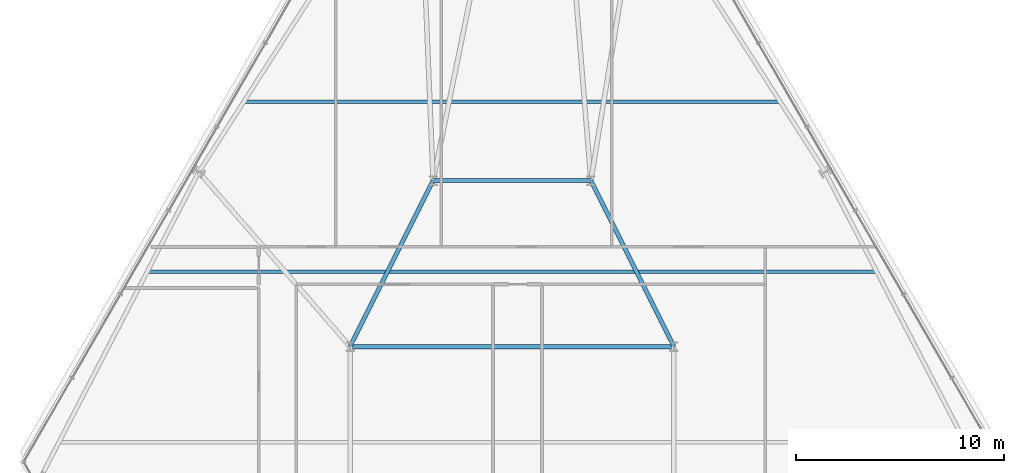
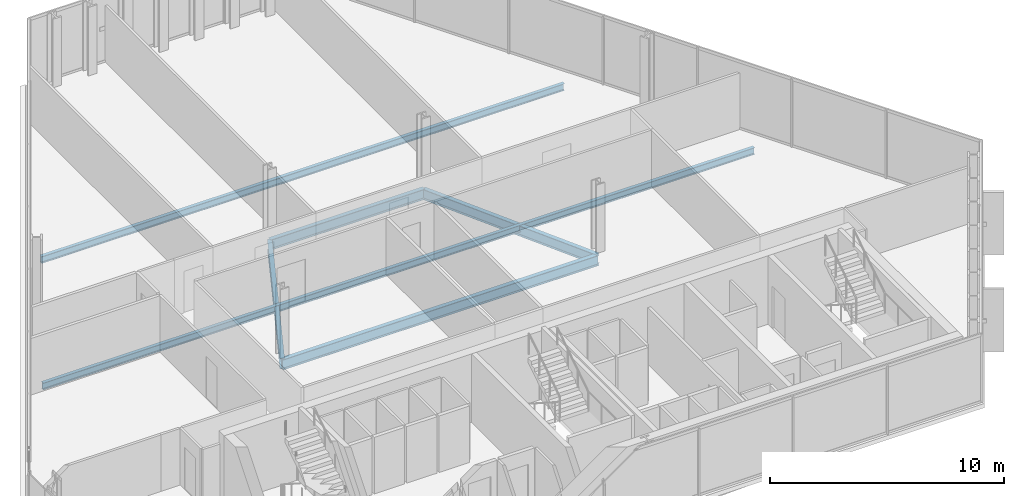
# One storey, part 15 of 33: 6 beams.
"""IFC4 building model written with IfcOpenShell, lengths in metres."""

from ifc_helpers import new_model, si_unit, direction, frame, origin, origin_2d, place, context, subcontext, project, spatial, i_section, extrude, material, material_profile, profile_set, type_object, element, save


model = new_model("IFC4")

# Units and contexts
model_context = context("Model", 3, precision=1e-05, world=origin(), true_north=direction((0.0, 1.0)))
body_context = subcontext(model_context, "Body", "Model", "MODEL_VIEW")
ifc_project = project(units=[si_unit("LENGTHUNIT", "METRE"), si_unit("AREAUNIT", "SQUARE_METRE"), si_unit("VOLUMEUNIT", "CUBIC_METRE"), si_unit("PLANEANGLEUNIT", "RADIAN"), si_unit("MASSUNIT", "GRAM", prefix="KILO")], contexts=[model_context])

# Site, building, storey
site_placement = place(None, origin())
site = spatial("IfcSite", under=ifc_project, at=site_placement, CompositionType="ELEMENT")
building_placement = place(site_placement, origin())
building = spatial("IfcBuilding", under=site, at=building_placement, Name="Ndaravel Arena Tower", CompositionType="ELEMENT")
storey_placement = place(building_placement, frame((0.0, 0.0, 81.60009765625)))
storey = spatial("IfcBuildingStorey", under=building, at=storey_placement, Name="L18", CompositionType="ELEMENT", Elevation=81.60009765625)

# Beams
ifc_material_1 = material(Name="Steel S355", Category="steel")
ifc_material_profile_1 = material_profile(ifc_material_1, i_section(OverallWidth=0.210693359375, OverallDepth=0.53955078125, WebThickness=0.01171875, FlangeThickness=0.018798828125, FilletRadius=0.0126953125, at=origin_2d()), Name="UB 533x210x109")
ifc_profile_set_1 = profile_set([ifc_material_profile_1], Name="Steel S355")
beam_type_1 = type_object("IfcBeamType", Name="BM-GIRD-UB533", PredefinedType="BEAM", material=ifc_profile_set_1)
beam_1_placement = place(storey_placement, frame((34.199951171875, 23.199951171875, -0.489990234375), z_axis=(1.0, 0.0, 0.0), x_axis=(0.0, 1.0, 0.0)))
element("IfcBeam", 1, at=beam_1_placement, inside=storey, type_object=beam_type_1, Name="L18 Spine Link Girder SLG-03", PredefinedType="BEAM", context=body_context, shape_type="SweptSolid", body=[
    extrude(i_section(OverallWidth=0.210693359375, OverallDepth=0.53955078125, WebThickness=0.01171875, FlangeThickness=0.018798828125, FilletRadius=0.0126953125, at=origin_2d()), origin(), (0.0, 0.0, 1.0), 15.60009765625),
])
for number, where, z_axis, x_axis, name in (
    (2, (34.199951171875, 23.199951171875, -0.489990234375), (0.4472135955, 0.894427191, 0.0), (-0.894427191, 0.4472135955, 0.0), "L18 Spine Link Girder SLG-04"),
    (3, (49.800048828125, 23.199951171875, -0.489990234375), (-0.4472135955, 0.894427191, 0.0), (-0.894427191, -0.4472135955, 0.0), "L18 Spine Link Girder SLG-05"),
):
    element("IfcBeam", number, at=place(storey_placement, frame(where, z_axis=z_axis, x_axis=x_axis)), inside=storey, type_object=beam_type_1, Name=name, PredefinedType="BEAM", context=body_context, shape_type="SweptSolid", body=[
        extrude(i_section(OverallWidth=0.210693359375, OverallDepth=0.53955078125, WebThickness=0.01171875, FlangeThickness=0.018798828125, FilletRadius=0.0126953125, at=origin_2d()), origin(), (0.0, 0.0, 1.0), 8.9443359375),
    ])
beam_2_placement = place(storey_placement, frame((38.199951171875, 31.199951171875, -0.489990234375), z_axis=(1.0, 0.0, 0.0), x_axis=(0.0, 1.0, 0.0)))
element("IfcBeam", 4, at=beam_2_placement, inside=storey, type_object=beam_type_1, Name="L18 Spine Link Girder SLG-06", PredefinedType="BEAM", context=body_context, shape_type="SweptSolid", body=[
    extrude(i_section(OverallWidth=0.210693359375, OverallDepth=0.53955078125, WebThickness=0.01171875, FlangeThickness=0.018798828125, FilletRadius=0.0126953125, at=origin_2d()), origin(), (0.0, 0.0, 1.0), 7.60009765625),
])
ifc_material_2 = material(Name="Steel S355", Category="steel")
ifc_material_profile_2 = material_profile(ifc_material_2, i_section(OverallWidth=0.169921875, OverallDepth=0.360107421875, WebThickness=0.008056640625, FlangeThickness=0.0126953125, FilletRadius=0.01806640625, at=origin_2d()), Name="IPE 360")
ifc_profile_set_2 = profile_set([ifc_material_profile_2], Name="Steel S355")
beam_type_2 = type_object("IfcBeamType", Name="BM-JOIST-IPE360", PredefinedType="JOIST", material=ifc_profile_set_2)
beam_3_placement = place(storey_placement, frame((24.421630859375, 26.800048828125, -0.400146484375), z_axis=(1.0, 0.0, 0.0), x_axis=(0.0, 1.0, 0.0)))
element("IfcBeam", 5, at=beam_3_placement, inside=storey, type_object=beam_type_2, Name="L18 Composite Floor Joist FJ-02", PredefinedType="JOIST", context=body_context, shape_type="SweptSolid", body=[
    extrude(i_section(OverallWidth=0.169921875, OverallDepth=0.360107421875, WebThickness=0.008056640625, FlangeThickness=0.0126953125, FilletRadius=0.01806640625, at=origin_2d()), origin(), (0.0, 0.0, 1.0), 35.15673828125),
])
beam_4_placement = place(storey_placement, frame((29.081787109375, 35.0, -0.400146484375), z_axis=(1.0, 0.0, 0.0), x_axis=(0.0, 1.0, 0.0)))
element("IfcBeam", 6, at=beam_4_placement, inside=storey, type_object=beam_type_2, Name="L18 Composite Floor Joist FJ-03", PredefinedType="JOIST", context=body_context, shape_type="SweptSolid", body=[
    extrude(i_section(OverallWidth=0.169921875, OverallDepth=0.360107421875, WebThickness=0.008056640625, FlangeThickness=0.0126953125, FilletRadius=0.01806640625, at=origin_2d()), origin(), (0.0, 0.0, 1.0), 25.83642578125),
])

save(model, "model.ifc")
